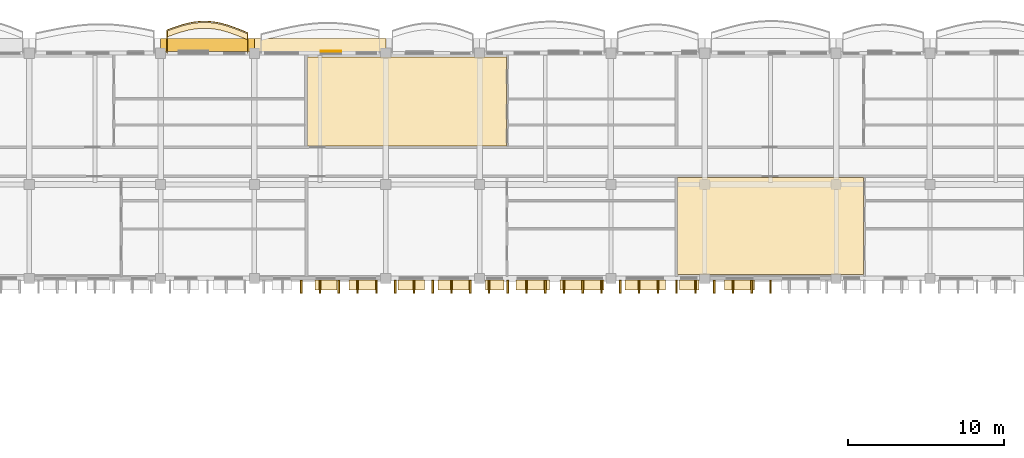
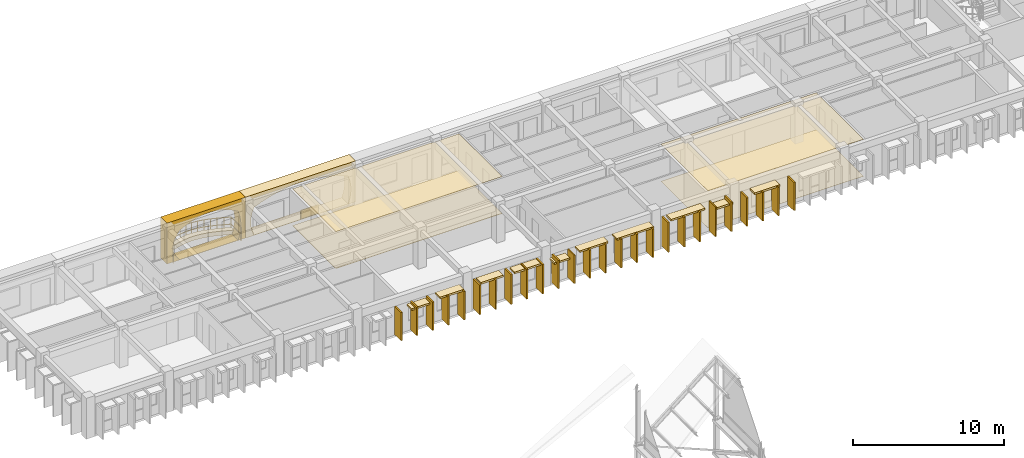
# One storey, part 86 of 101: 44 coverings, 1 railing.
"""IFC4 building model written with IfcOpenShell, lengths in metres."""

import ifcopenshell
import ifcopenshell.guid

model = None  # the IFC model being written
_history = None  # IfcOwnerHistory: only IFC2X3 demands one
_inside = {}  # id of a spatial element -> (the spatial element, [elements in it])
_under = {}  # id of a project, library or spatial element -> (it, [spatial elements below it])
_declared = {}  # id of a project -> (the project, [libraries it declares])
_typed = {}  # id of a type object -> (the type object, [elements of that type])
_made_of = {}  # id of a material, layer set ... -> (it, [elements and type objects made of it])


def new_model(schema):
    """Start an empty IFC model of exactly this schema.

    Asked for "IFC4X3", IfcOpenShell would pick the latest addendum, in which some entities
    have other attributes; the version numbers below select the first issue.
    IFC2X3 requires an IfcOwnerHistory on every rooted entity: one is made here for all.
    """
    global model, _history
    if schema == "IFC4X3":
        model = ifcopenshell.file(schema_version=(4, 3, 0, 0))
    else:
        model = ifcopenshell.file(schema=schema)
    _inside.clear()
    _under.clear()
    _declared.clear()
    _typed.clear()
    _made_of.clear()
    _history = None
    if model.schema == "IFC2X3":
        org = make("IfcOrganization", Name="unknown")
        user = make(
            "IfcPersonAndOrganization",
            ThePerson=make("IfcPerson", FamilyName="unknown"),
            TheOrganization=org,
        )
        app = make(
            "IfcApplication",
            ApplicationDeveloper=org,
            Version="unknown",
            ApplicationFullName="unknown",
            ApplicationIdentifier="unknown",
        )
        _history = make(
            "IfcOwnerHistory",
            OwningUser=user,
            OwningApplication=app,
            ChangeAction="ADDED",
            CreationDate=0,
        )
    return model


def make(cls, **values):
    """One entity of the class cls with the attributes given. An attribute that is None is left unset."""
    return model.create_entity(
        cls, **{name: value for name, value in values.items() if value is not None}
    )


def rooted(cls, **values):
    """An entity with a GlobalId (a new one), such as an element, a storey or a relation."""
    return make(cls, GlobalId=ifcopenshell.guid.new(), OwnerHistory=_history, **values)


def si_unit(unit_type, name, prefix=None):
    """IfcSIUnit, for example si_unit("LENGTHUNIT", "METRE", prefix="MILLI")."""
    return make("IfcSIUnit", UnitType=unit_type, Prefix=prefix, Name=name)


def assignment(units):
    """IfcUnitAssignment: the units of a project."""
    return None if units is None else make("IfcUnitAssignment", Units=units)


def point(xyz):
    """IfcCartesianPoint."""
    return None if xyz is None else make("IfcCartesianPoint", Coordinates=xyz)


def direction(xyz):
    """IfcDirection."""
    return None if xyz is None else make("IfcDirection", DirectionRatios=xyz)


def frame(location, z_axis=None, x_axis=None):
    """IfcAxis2Placement3D, a coordinate frame: its origin and axes. An axis left out is left unset."""
    return make(
        "IfcAxis2Placement3D",
        Location=point(location),
        Axis=direction(z_axis),
        RefDirection=direction(x_axis),
    )


def frame_2d(location, x_axis=None):
    """IfcAxis2Placement2D, a coordinate frame in the plane: its origin and x axis."""
    return make(
        "IfcAxis2Placement2D", Location=point(location), RefDirection=direction(x_axis)
    )


def origin():
    """The frame at (0, 0, 0) with its axes left unset."""
    return frame((0.0, 0.0, 0.0))


def origin_2d():
    """The frame at (0, 0) in the plane with its x axis left unset."""
    return frame_2d((0.0, 0.0))


def place(relative_to, where):
    """IfcLocalPlacement: puts the frame where relative to a parent placement (None: the world)."""
    return make(
        "IfcLocalPlacement", PlacementRelTo=relative_to, RelativePlacement=where
    )


def context(
    kind, dimensions, precision=None, world=None, true_north=None, identifier=None
):
    """IfcGeometricRepresentationContext, for example the 3D "Model" context."""
    return make(
        "IfcGeometricRepresentationContext",
        ContextIdentifier=identifier,
        ContextType=kind,
        CoordinateSpaceDimension=dimensions,
        Precision=precision,
        WorldCoordinateSystem=world,
        TrueNorth=true_north,
    )


def subcontext(parent, identifier, kind, view, scale=None):
    """IfcGeometricRepresentationSubContext, for example "Body" below "Model"."""
    return make(
        "IfcGeometricRepresentationSubContext",
        ContextIdentifier=identifier,
        ContextType=kind,
        ParentContext=parent,
        TargetScale=scale,
        TargetView=view,
    )


def project(units=None, contexts=None):
    """IfcProject with its units and contexts."""
    return rooted(
        "IfcProject",
        Name="project",
        RepresentationContexts=contexts,
        UnitsInContext=assignment(units),
    )


def spatial(cls, under=None, at=None, **own):
    """A site, building, storey or space (cls), placed at a placement, below another one or the project."""
    s = rooted(cls, ObjectPlacement=at, **own)
    if under is not None:
        _under.setdefault(under.id(), (under, []))[1].append(s)
    return s


def polyline(points):
    """IfcPolyline through the points."""
    return make("IfcPolyline", Points=[point(p) for p in points])


def profile(cls, at=None, kind="AREA", **sizes):
    """A parametric profile (cls). Its sizes go by their IFC names, for example OverallWidth=200.0."""
    return make(cls, ProfileType=kind, Position=at, **sizes)


def rectangle(**sizes):
    """IfcRectangleProfileDef."""
    return profile("IfcRectangleProfileDef", **sizes)


def outline(outer, holes=None, kind="AREA"):
    """IfcArbitraryClosedProfileDef: a profile drawn as a closed curve; with holes, ...WithVoids."""
    if holes is None:
        return make("IfcArbitraryClosedProfileDef", ProfileType=kind, OuterCurve=outer)
    return make(
        "IfcArbitraryProfileDefWithVoids",
        ProfileType=kind,
        OuterCurve=outer,
        InnerCurves=holes,
    )


def extrude(swept, where, along, depth):
    """IfcExtrudedAreaSolid: the profile swept, set in the frame where, extruded along a direction by depth."""
    return make(
        "IfcExtrudedAreaSolid",
        SweptArea=swept,
        Position=where,
        ExtrudedDirection=direction(along),
        Depth=depth,
    )


def shape(context_of_items, identifier, shape_type, items):
    """IfcShapeRepresentation: the items that make up one representation, for example the "Body"."""
    return make(
        "IfcShapeRepresentation",
        ContextOfItems=context_of_items,
        RepresentationIdentifier=identifier,
        RepresentationType=shape_type,
        Items=items,
    )


def material(Name=None, Category=None):
    """IfcMaterial."""
    return make("IfcMaterial", Name=Name, Category=Category)


def layer(
    of_material, thickness, ventilated=None, Name=None, Category=None, Priority=None
):
    """IfcMaterialLayer: one layer of a wall or slab, of a material (None: an air gap)."""
    return make(
        "IfcMaterialLayer",
        Material=of_material,
        LayerThickness=thickness,
        IsVentilated=ventilated,
        Name=Name,
        Category=Category,
        Priority=Priority,
    )


def layer_set(layers, Name=None):
    """IfcMaterialLayerSet."""
    return make("IfcMaterialLayerSet", MaterialLayers=layers, LayerSetName=Name)


def made_of(thing, what):
    """Note that an element or type object is made of a material, layer set ...; save() writes the relation."""
    if what is not None:
        _made_of.setdefault(what.id(), (what, []))[1].append(thing)
    return thing


def type_object(cls, material=None, **own):
    """A type object (cls), such as IfcWallType, which elements share."""
    return made_of(rooted(cls, **own), material)


def element(
    cls,
    number,
    at=None,
    inside=None,
    cuts=None,
    type_object=None,
    material=None,
    context=None,
    identifier="Body",
    shape_type=None,
    held_by="IfcProductDefinitionShape",
    body=None,
    shapes=None,
    **own,
):
    """One element of the class cls, such as IfcWall. Its Tag is "e" and its number.

    at: its placement. inside: the storey or other place that contains it. cuts: it is an
    opening in that element (IfcRelVoidsElement). A single representation is given by context,
    identifier, shape_type and body (its items); several are given by shapes. held_by: the class
    of the entity that holds the representations. save() writes the other relations.
    """
    e = rooted(cls, Tag="e%d" % number, ObjectPlacement=at, **own)
    if body is not None:
        shapes = [shape(context, identifier, shape_type, body)]
    if shapes is not None:
        e.Representation = make(held_by, Representations=shapes)
    if inside is not None:
        _inside.setdefault(inside.id(), (inside, []))[1].append(e)
    if cuts is not None:
        rooted(
            "IfcRelVoidsElement", RelatingBuildingElement=cuts, RelatedOpeningElement=e
        )
    if type_object is not None:
        _typed.setdefault(type_object.id(), (type_object, []))[1].append(e)
    return made_of(e, material)


def aggregate(whole, parts):
    """IfcRelAggregates: a whole, such as a stair, and the parts it consists of."""
    return rooted("IfcRelAggregates", RelatingObject=whole, RelatedObjects=parts)


def save(model, path):
    """Write the relations noted so far, then the file.

    IfcRelAggregates (storeys below a building ...), IfcRelContainedInSpatialStructure (elements
    in a storey), IfcRelDefinesByType, IfcRelAssociatesMaterial and IfcRelDeclares: one each for
    every whole, place, type object, material and project.
    """
    for whole, parts in _under.values():
        aggregate(whole, parts)
    for where, things in _inside.values():
        rooted(
            "IfcRelContainedInSpatialStructure",
            RelatedElements=things,
            RelatingStructure=where,
        )
    for kind, things in _typed.values():
        rooted("IfcRelDefinesByType", RelatedObjects=things, RelatingType=kind)
    for what, things in _made_of.values():
        rooted("IfcRelAssociatesMaterial", RelatedObjects=things, RelatingMaterial=what)
    for by, libraries in _declared.values():
        rooted("IfcRelDeclares", RelatingContext=by, RelatedDefinitions=libraries)
    model.write(path)


model = new_model("IFC4")

# Units and contexts
model_context = context("Model", 3, precision=1e-05, world=origin(), true_north=direction((0.0, 1.0)))
body_context = subcontext(model_context, "Body", "Model", "MODEL_VIEW")
ifc_project = project(units=[si_unit("LENGTHUNIT", "METRE"), si_unit("AREAUNIT", "SQUARE_METRE"), si_unit("VOLUMEUNIT", "CUBIC_METRE"), si_unit("PLANEANGLEUNIT", "RADIAN"), si_unit("MASSUNIT", "GRAM", prefix="KILO"), si_unit("THERMODYNAMICTEMPERATUREUNIT", "KELVIN")], contexts=[model_context])

# Site, building, storey
site_placement = place(None, origin())
site = spatial("IfcSite", under=ifc_project, at=site_placement, CompositionType="ELEMENT")
building_placement = place(site_placement, origin())
building = spatial("IfcBuilding", under=site, at=building_placement, Name="Thalorik Housing Commons", CompositionType="ELEMENT")
storey_placement = place(building_placement, frame((0.0, 0.0, 8.10009765625)))
storey = spatial("IfcBuildingStorey", under=building, at=storey_placement, Name="L02", CompositionType="ELEMENT", Elevation=8.10009765625)

# Coverings
ifc_material_1 = material(Name="Precast concrete C40/50", Category="concrete")
ifc_layer_1 = layer(ifc_material_1, 0.85009765625, Name="Precast concrete C40/50", Category="concrete")
ifc_layer_set_1 = layer_set([ifc_layer_1], Name="Precast concrete C40/50")
covering_type_1 = type_object("IfcCoveringType", Name="ARC-CLD-CUSH-850", PredefinedType="CLADDING", material=ifc_layer_set_1)
covering_1_placement = place(storey_placement, frame((105.0, 124.12744140625, 0.0), z_axis=(0.0, 0.0, 1.0), x_axis=(-1.0, 0.0, 0.0)))
element("IfcCovering", 1, at=covering_1_placement, inside=storey, type_object=covering_type_1, Name="L02 White Precast Curved Cushion Bay Frame 1672", PredefinedType="CLADDING", context=body_context, shape_type="SweptSolid", body=[
    extrude(outline(polyline([(-4.199951171875, 0.0), (4.199951171875, 0.0), (4.199951171875, 3.300048828125), (-4.199951171875, 3.300048828125), (-4.199951171875, 0.0)]), holes=[polyline([(3.554931640625, 0.02490234375), (3.691162109375, 0.3974609375), (3.77294921875, 0.77001953125), (3.800048828125, 1.142578125), (3.77294921875, 1.514892578125), (3.691162109375, 1.887451171875), (3.554931640625, 2.260009765625), (2.956298828125, 2.497314453125), (2.357421875, 2.683837890625), (1.7587890625, 2.8349609375), (1.159912109375, 2.947265625), (0.561279296875, 3.0166015625), (-0.03759765625, 3.0400390625), (-0.63623046875, 3.0166015625), (-1.235107421875, 2.947265625), (-1.833740234375, 2.8349609375), (-2.4326171875, 2.683837890625), (-3.03125, 2.497314453125), (-3.6298828125, 2.260009765625), (-3.750244140625, 1.887451171875), (-3.822509765625, 1.514892578125), (-3.8466796875, 1.142578125), (-3.822509765625, 0.77001953125), (-3.750244140625, 0.3974609375), (-3.6298828125, 0.02490234375), (3.554931640625, 0.02490234375)])]), frame((0.0, 0.425048828125, 0.0), z_axis=(0.0, -1.0, 0.0), x_axis=(1.0, 0.0, 0.0)), (0.0, 0.0, 1.0), 0.85009765625),
])
covering_2_placement = place(storey_placement, frame((97.800048828125, 124.12744140625, 0.0), z_axis=(0.0, 0.0, 1.0), x_axis=(-1.0, 0.0, 0.0)))
element("IfcCovering", 2, at=covering_2_placement, inside=storey, type_object=covering_type_1, Name="L02 White Precast Curved Cushion Bay Frame 1674", PredefinedType="CLADDING", context=body_context, shape_type="SweptSolid", body=[
    extrude(outline(polyline([(-3.0, 0.0), (3.0, 0.0), (3.0, 3.300048828125), (-3.0, 3.300048828125), (-3.0, 0.0)]), holes=[polyline([(2.0400390625, 0.02490234375), (2.3232421875, 0.415771484375), (2.493408203125, 0.806640625), (2.550048828125, 1.197509765625), (2.493408203125, 1.58837890625), (2.3232421875, 1.979248046875), (2.0400390625, 2.3701171875), (1.66748046875, 2.573974609375), (1.294921875, 2.734130859375), (0.922607421875, 2.864013671875), (0.550048828125, 2.960205078125), (0.177490234375, 3.02001953125), (-0.195068359375, 3.0400390625), (-0.5673828125, 3.02001953125), (-0.93994140625, 2.960205078125), (-1.3125, 2.864013671875), (-1.68505859375, 2.734130859375), (-2.0576171875, 2.573974609375), (-2.429931640625, 2.3701171875), (-2.55029296875, 1.979248046875), (-2.62255859375, 1.58837890625), (-2.646484375, 1.197509765625), (-2.62255859375, 0.806640625), (-2.55029296875, 0.415771484375), (-2.429931640625, 0.02490234375), (2.0400390625, 0.02490234375)])]), frame((0.0, 0.425048828125, 0.0), z_axis=(0.0, -1.0, 0.0), x_axis=(1.0, 0.0, 0.0)), (0.0, 0.0, 1.0), 0.85009765625),
])
ifc_layer_2 = layer(ifc_material_1, 0.85009765625, Name="Precast concrete C40/50", Category="concrete")
ifc_layer_set_2 = layer_set([ifc_layer_2], Name="Precast concrete C40/50")
covering_type_2 = type_object("IfcCoveringType", Name="ARC-CLD-FIN-850", PredefinedType="CLADDING", material=ifc_layer_set_2)
for number, where, z_axis, x_axis, name in (
    (3, (103.800048828125, 108.672607421875, 0.0400390625), (0.0, 0.0, 1.0), (1.0, 0.0, 0.0), "L02 Courtyard Precast Vertical Brise-Soleil Fin 1723"),
    (4, (105.0, 108.672607421875, 0.0400390625), (0.0, 0.0, 1.0), (1.0, 0.0, 0.0), "L02 Courtyard Precast Vertical Brise-Soleil Fin 1724"),
    (5, (106.199951171875, 108.672607421875, 0.0400390625), (0.0, 0.0, 1.0), (1.0, 0.0, 0.0), "L02 Courtyard Precast Vertical Brise-Soleil Fin 1725"),
    (6, (107.39990234375, 108.672607421875, 0.0400390625), (0.0, 0.0, 1.0), (1.0, 0.0, 0.0), "L02 Courtyard Precast Vertical Brise-Soleil Fin 1726"),
    (7, (108.60009765625, 108.672607421875, 0.0400390625), (0.0, 0.0, 1.0), (1.0, 0.0, 0.0), "L02 Courtyard Precast Vertical Brise-Soleil Fin 1727"),
):
    element("IfcCovering", number, at=place(storey_placement, frame(where, z_axis=z_axis, x_axis=x_axis)), inside=storey, type_object=covering_type_2, Name=name, PredefinedType="CLADDING", context=body_context, shape_type="SweptSolid", body=[
        extrude(rectangle(XDim=0.110107421875, YDim=0.85009765625, at=origin_2d()), origin(), (0.0, 0.0, 1.0), 2.294921875),
    ])
for number, where, z_axis, x_axis, name in (
    (8, (109.800048828125, 108.672607421875, 0.039794921875), (0.0, 0.0, 1.0), (1.0, 0.0, 0.0), "L02 Courtyard Precast Vertical Brise-Soleil Fin 1731"),
    (9, (111.0, 108.672607421875, 0.039794921875), (0.0, 0.0, 1.0), (1.0, 0.0, 0.0), "L02 Courtyard Precast Vertical Brise-Soleil Fin 1732"),
    (10, (112.199951171875, 108.672607421875, 0.039794921875), (0.0, 0.0, 1.0), (1.0, 0.0, 0.0), "L02 Courtyard Precast Vertical Brise-Soleil Fin 1733"),
    (11, (113.39990234375, 108.672607421875, 0.039794921875), (0.0, 0.0, 1.0), (1.0, 0.0, 0.0), "L02 Courtyard Precast Vertical Brise-Soleil Fin 1734"),
    (12, (114.60009765625, 108.672607421875, 0.039794921875), (0.0, 0.0, 1.0), (1.0, 0.0, 0.0), "L02 Courtyard Precast Vertical Brise-Soleil Fin 1735"),
):
    element("IfcCovering", number, at=place(storey_placement, frame(where, z_axis=z_axis, x_axis=x_axis)), inside=storey, type_object=covering_type_2, Name=name, PredefinedType="CLADDING", context=body_context, shape_type="SweptSolid", body=[
        extrude(rectangle(XDim=0.110107421875, YDim=0.85009765625, at=origin_2d()), origin(), (0.0, 0.0, 1.0), 2.39501953125),
    ])
for number, where, z_axis, x_axis, name in (
    (13, (115.800048828125, 108.672607421875, 0.0400390625), (0.0, 0.0, 1.0), (1.0, 0.0, 0.0), "L02 Courtyard Precast Vertical Brise-Soleil Fin 1738"),
    (14, (117.0, 108.672607421875, 0.0400390625), (0.0, 0.0, 1.0), (1.0, 0.0, 0.0), "L02 Courtyard Precast Vertical Brise-Soleil Fin 1739"),
    (15, (118.199951171875, 108.672607421875, 0.0400390625), (0.0, 0.0, 1.0), (1.0, 0.0, 0.0), "L02 Courtyard Precast Vertical Brise-Soleil Fin 1740"),
    (16, (119.39990234375, 108.672607421875, 0.0400390625), (0.0, 0.0, 1.0), (1.0, 0.0, 0.0), "L02 Courtyard Precast Vertical Brise-Soleil Fin 1741"),
    (17, (120.60009765625, 108.672607421875, 0.0400390625), (0.0, 0.0, 1.0), (1.0, 0.0, 0.0), "L02 Courtyard Precast Vertical Brise-Soleil Fin 1742"),
    (18, (121.800048828125, 108.672607421875, 0.0400390625), (0.0, 0.0, 1.0), (1.0, 0.0, 0.0), "L02 Courtyard Precast Vertical Brise-Soleil Fin 1743"),
    (19, (123.0, 108.672607421875, 0.0400390625), (0.0, 0.0, 1.0), (1.0, 0.0, 0.0), "L02 Courtyard Precast Vertical Brise-Soleil Fin 1744"),
):
    element("IfcCovering", number, at=place(storey_placement, frame(where, z_axis=z_axis, x_axis=x_axis)), inside=storey, type_object=covering_type_2, Name=name, PredefinedType="CLADDING", context=body_context, shape_type="SweptSolid", body=[
        extrude(rectangle(XDim=0.110107421875, YDim=0.85009765625, at=origin_2d()), origin(), (0.0, 0.0, 1.0), 2.294921875),
    ])
for number, where, z_axis, x_axis, name in (
    (20, (124.199951171875, 108.672607421875, 0.039794921875), (0.0, 0.0, 1.0), (1.0, 0.0, 0.0), "L02 Courtyard Precast Vertical Brise-Soleil Fin 1748"),
    (21, (125.39990234375, 108.672607421875, 0.039794921875), (0.0, 0.0, 1.0), (1.0, 0.0, 0.0), "L02 Courtyard Precast Vertical Brise-Soleil Fin 1749"),
    (22, (126.60009765625, 108.672607421875, 0.039794921875), (0.0, 0.0, 1.0), (1.0, 0.0, 0.0), "L02 Courtyard Precast Vertical Brise-Soleil Fin 1750"),
    (23, (127.800048828125, 108.672607421875, 0.039794921875), (0.0, 0.0, 1.0), (1.0, 0.0, 0.0), "L02 Courtyard Precast Vertical Brise-Soleil Fin 1751"),
    (24, (129.0, 108.672607421875, 0.039794921875), (0.0, 0.0, 1.0), (1.0, 0.0, 0.0), "L02 Courtyard Precast Vertical Brise-Soleil Fin 1752"),
):
    element("IfcCovering", number, at=place(storey_placement, frame(where, z_axis=z_axis, x_axis=x_axis)), inside=storey, type_object=covering_type_2, Name=name, PredefinedType="CLADDING", context=body_context, shape_type="SweptSolid", body=[
        extrude(rectangle(XDim=0.110107421875, YDim=0.85009765625, at=origin_2d()), origin(), (0.0, 0.0, 1.0), 2.39501953125),
    ])
for number, where, z_axis, x_axis, name in (
    (25, (130.199951171875, 108.672607421875, 0.0400390625), (0.0, 0.0, 1.0), (1.0, 0.0, 0.0), "L02 Courtyard Precast Vertical Brise-Soleil Fin 1755"),
    (26, (131.39990234375, 108.672607421875, 0.0400390625), (0.0, 0.0, 1.0), (1.0, 0.0, 0.0), "L02 Courtyard Precast Vertical Brise-Soleil Fin 1756"),
    (27, (132.60009765625, 108.672607421875, 0.0400390625), (0.0, 0.0, 1.0), (1.0, 0.0, 0.0), "L02 Courtyard Precast Vertical Brise-Soleil Fin 1757"),
    (28, (133.800048828125, 108.672607421875, 0.0400390625), (0.0, 0.0, 1.0), (1.0, 0.0, 0.0), "L02 Courtyard Precast Vertical Brise-Soleil Fin 1758"),
):
    element("IfcCovering", number, at=place(storey_placement, frame(where, z_axis=z_axis, x_axis=x_axis)), inside=storey, type_object=covering_type_2, Name=name, PredefinedType="CLADDING", context=body_context, shape_type="SweptSolid", body=[
        extrude(rectangle(XDim=0.110107421875, YDim=0.85009765625, at=origin_2d()), origin(), (0.0, 0.0, 1.0), 2.294921875),
    ])
ifc_layer_3 = layer(ifc_material_1, 0.64990234375, Name="Precast concrete C40/50", Category="concrete")
ifc_layer_set_3 = layer_set([ifc_layer_3], Name="Precast concrete C40/50")
covering_type_3 = type_object("IfcCoveringType", Name="ARC-CLD-HOOD-650", PredefinedType="CLADDING", material=ifc_layer_set_3)
covering_3_placement = place(storey_placement, frame((105.37744140625, 108.7724609375, 2.0400390625), z_axis=(0.0, 0.0, 1.0), x_axis=(1.0, 0.0, 0.0)))
element("IfcCovering", 29, at=covering_3_placement, inside=storey, type_object=covering_type_3, Name="L02 Courtyard Precast Window Sun-Hood 1729", PredefinedType="CLADDING", context=body_context, shape_type="SweptSolid", body=[
    extrude(rectangle(XDim=1.389892578125, YDim=0.64990234375, at=origin_2d()), origin(), (0.0, 0.0, 1.0), 0.139892578125),
])
covering_4_placement = place(storey_placement, frame((107.75244140625, 108.7724609375, 2.22509765625), z_axis=(0.0, 0.0, 1.0), x_axis=(1.0, 0.0, 0.0)))
element("IfcCovering", 30, at=covering_4_placement, inside=storey, type_object=covering_type_3, Name="L02 Courtyard Precast Window Sun-Hood 1730", PredefinedType="CLADDING", context=body_context, shape_type="SweptSolid", body=[
    extrude(rectangle(XDim=1.820068359375, YDim=0.64990234375, at=origin_2d()), origin(), (0.0, 0.0, 1.0), 0.139892578125),
])
covering_5_placement = place(storey_placement, frame((110.830078125, 108.7724609375, 2.31005859375), z_axis=(0.0, 0.0, 1.0), x_axis=(1.0, 0.0, 0.0)))
element("IfcCovering", 31, at=covering_5_placement, inside=storey, type_object=covering_type_3, Name="L02 Courtyard Precast Window Sun-Hood 1736", PredefinedType="CLADDING", context=body_context, shape_type="SweptSolid", body=[
    extrude(rectangle(XDim=1.719970703125, YDim=0.64990234375, at=origin_2d()), origin(), (0.0, 0.0, 1.0), 0.139892578125),
])
covering_6_placement = place(storey_placement, frame((113.570068359375, 108.7724609375, 2.25), z_axis=(0.0, 0.0, 1.0), x_axis=(1.0, 0.0, 0.0)))
element("IfcCovering", 32, at=covering_6_placement, inside=storey, type_object=covering_type_3, Name="L02 Courtyard Precast Window Sun-Hood 1737", PredefinedType="CLADDING", context=body_context, shape_type="SweptSolid", body=[
    extrude(rectangle(XDim=2.06005859375, YDim=0.64990234375, at=origin_2d()), origin(), (0.0, 0.0, 1.0), 0.139892578125),
])
covering_7_placement = place(storey_placement, frame((116.169921875, 108.7724609375, 1.93994140625), z_axis=(0.0, 0.0, 1.0), x_axis=(1.0, 0.0, 0.0)))
element("IfcCovering", 33, at=covering_7_placement, inside=storey, type_object=covering_type_3, Name="L02 Courtyard Precast Window Sun-Hood 1745", PredefinedType="CLADDING", context=body_context, shape_type="SweptSolid", body=[
    extrude(rectangle(XDim=1.18994140625, YDim=0.64990234375, at=origin_2d()), origin(), (0.0, 0.0, 1.0), 0.139892578125),
])
covering_8_placement = place(storey_placement, frame((118.60009765625, 108.7724609375, 2.22509765625), z_axis=(0.0, 0.0, 1.0), x_axis=(1.0, 0.0, 0.0)))
element("IfcCovering", 34, at=covering_8_placement, inside=storey, type_object=covering_type_3, Name="L02 Courtyard Precast Window Sun-Hood 1746", PredefinedType="CLADDING", context=body_context, shape_type="SweptSolid", body=[
    extrude(rectangle(XDim=2.159912109375, YDim=0.64990234375, at=origin_2d()), origin(), (0.0, 0.0, 1.0), 0.139892578125),
])
covering_9_placement = place(storey_placement, frame((121.760009765625, 108.7724609375, 2.22509765625), z_axis=(0.0, 0.0, 1.0), x_axis=(1.0, 0.0, 0.0)))
element("IfcCovering", 35, at=covering_9_placement, inside=storey, type_object=covering_type_3, Name="L02 Courtyard Precast Window Sun-Hood 1747", PredefinedType="CLADDING", context=body_context, shape_type="SweptSolid", body=[
    extrude(rectangle(XDim=2.820068359375, YDim=0.64990234375, at=origin_2d()), origin(), (0.0, 0.0, 1.0), 0.139892578125),
])
covering_10_placement = place(storey_placement, frame((125.784912109375, 108.7724609375, 2.3251953125), z_axis=(0.0, 0.0, 1.0), x_axis=(1.0, 0.0, 0.0)))
element("IfcCovering", 36, at=covering_10_placement, inside=storey, type_object=covering_type_3, Name="L02 Courtyard Precast Window Sun-Hood 1753", PredefinedType="CLADDING", context=body_context, shape_type="SweptSolid", body=[
    extrude(rectangle(XDim=2.590087890625, YDim=0.64990234375, at=origin_2d()), origin(), (0.0, 0.0, 1.0), 0.139892578125),
])
covering_11_placement = place(storey_placement, frame((128.594970703125, 108.7724609375, 2.0400390625), z_axis=(0.0, 0.0, 1.0), x_axis=(1.0, 0.0, 0.0)))
element("IfcCovering", 37, at=covering_11_placement, inside=storey, type_object=covering_type_3, Name="L02 Courtyard Precast Window Sun-Hood 1754", PredefinedType="CLADDING", context=body_context, shape_type="SweptSolid", body=[
    extrude(rectangle(XDim=1.239990234375, YDim=0.64990234375, at=origin_2d()), origin(), (0.0, 0.0, 1.0), 0.139892578125),
])
covering_12_placement = place(storey_placement, frame((131.830078125, 108.7724609375, 2.22509765625), z_axis=(0.0, 0.0, 1.0), x_axis=(1.0, 0.0, 0.0)))
element("IfcCovering", 38, at=covering_12_placement, inside=storey, type_object=covering_type_3, Name="L02 Courtyard Precast Window Sun-Hood 1762", PredefinedType="CLADDING", context=body_context, shape_type="SweptSolid", body=[
    extrude(rectangle(XDim=1.919921875, YDim=0.64990234375, at=origin_2d()), origin(), (0.0, 0.0, 1.0), 0.139892578125),
])
ifc_material_2 = material(Name="Terracotta red mineral fibre-cement panel", Category="masonry")
ifc_layer_4 = layer(ifc_material_2, 0.054931640625, Name="Terracotta red mineral fibre-cement panel", Category="masonry")
ifc_layer_set_4 = layer_set([ifc_layer_4], Name="Terracotta red mineral fibre-cement panel")
covering_type_4 = type_object("IfcCoveringType", Name="ARC-CLD-RED-55", PredefinedType="CLADDING", material=ifc_layer_set_4)
covering_13_placement = place(storey_placement, frame((105.699951171875, 123.735107421875, 0.0498046875), z_axis=(0.0, 0.0, 1.0), x_axis=(-1.0, 0.0, 0.0)))
element("IfcCovering", 39, at=covering_13_placement, inside=storey, type_object=covering_type_4, Name="L02 De Stijl Recessed Window Spandrel 1673", PredefinedType="CLADDING", context=body_context, shape_type="SweptSolid", body=[
    extrude(rectangle(XDim=1.320068359375, YDim=0.054931640625, at=origin_2d()), origin(), (0.0, 0.0, 1.0), 0.699951171875),
])
ifc_material_3 = material(Name="Perforated acoustic gypsum ceiling board")
ifc_layer_5 = layer(ifc_material_3, 0.014892578125, Name="Perforated acoustic gypsum ceiling board")
ifc_layer_set_5 = layer_set([ifc_layer_5], Name="Perforated acoustic gypsum ceiling board")
covering_type_5 = type_object("IfcCoveringType", Name="ARC-COV-CEIL-01", PredefinedType="CEILING", material=ifc_layer_set_5)
covering_14_placement = place(storey_placement, frame((0.0, 0.0, 2.98486328125)))
element("IfcCovering", 40, at=covering_14_placement, inside=storey, type_object=covering_type_5, Name="L02 Living Dining Room Suspended Ceiling", PredefinedType="CEILING", context=body_context, shape_type="SweptSolid", body=[
    extrude(outline(polyline([(139.7451171875, 109.43994140625), (139.7451171875, 115.639892578125), (127.860107421875, 115.639892578125), (127.860107421875, 109.43994140625), (139.7451171875, 109.43994140625)])), origin(), (0.0, 0.0, 1.0), 0.01513671875),
])
ifc_material_4 = material(Name="Acoustic wood-wool nursery ceiling panel", Category="wood")
ifc_layer_6 = layer(ifc_material_4, 0.035888671875, Name="Acoustic wood-wool nursery ceiling panel", Category="wood")
ifc_layer_set_6 = layer_set([ifc_layer_6], Name="Acoustic wood-wool nursery ceiling panel")
covering_type_6 = type_object("IfcCoveringType", Name="ARC-COV-CEIL-06", PredefinedType="CEILING", material=ifc_layer_set_6)
covering_15_placement = place(storey_placement, frame((0.0, 0.0, 2.9638671875)))
element("IfcCovering", 41, at=covering_15_placement, inside=storey, type_object=covering_type_6, Name="L02 Family Lounge Suspended Ceiling", PredefinedType="CEILING", context=body_context, shape_type="SweptSolid", body=[
    extrude(outline(polyline([(116.90673828125, 117.659912109375), (116.90673828125, 123.360107421875), (104.199951171875, 123.360107421875), (104.199951171875, 117.659912109375), (116.90673828125, 117.659912109375)])), origin(), (0.0, 0.0, 1.0), 0.0361328125),
])
ifc_material_5 = material(Name="Glazed Recife ceramic apartment floor tile")
ifc_layer_7 = layer(ifc_material_5, 0.011962890625, Name="Glazed Recife ceramic apartment floor tile")
ifc_layer_set_7 = layer_set([ifc_layer_7], Name="Glazed Recife ceramic apartment floor tile")
covering_type_7 = type_object("IfcCoveringType", Name="ARC-COV-FLR-01", PredefinedType="FLOORING", material=ifc_layer_set_7)
covering_16_placement = place(storey_placement, origin())
element("IfcCovering", 42, at=covering_16_placement, inside=storey, type_object=covering_type_7, Name="L02 Living Dining Room Flooring", PredefinedType="FLOORING", context=body_context, shape_type="SweptSolid", body=[
    extrude(outline(polyline([(139.7451171875, 109.43994140625), (139.7451171875, 115.639892578125), (127.860107421875, 115.639892578125), (127.860107421875, 109.43994140625), (139.7451171875, 109.43994140625)])), origin(), (0.0, 0.0, 1.0), 0.011962890625),
])
ifc_material_6 = material(Name="Epoxy-sealed concrete plant and bicycle hub finish", Category="concrete")
ifc_layer_8 = layer(ifc_material_6, 0.031982421875, Name="Epoxy-sealed concrete plant and bicycle hub finish", Category="concrete")
ifc_layer_set_8 = layer_set([ifc_layer_8], Name="Epoxy-sealed concrete plant and bicycle hub finish")
covering_type_8 = type_object("IfcCoveringType", Name="ARC-COV-FLR-06", PredefinedType="FLOORING", material=ifc_layer_set_8)
covering_17_placement = place(storey_placement, origin())
element("IfcCovering", 43, at=covering_17_placement, inside=storey, type_object=covering_type_8, Name="L02 Family Lounge Flooring", PredefinedType="FLOORING", context=body_context, shape_type="SweptSolid", body=[
    extrude(outline(polyline([(116.90673828125, 117.659912109375), (116.90673828125, 123.360107421875), (104.199951171875, 123.360107421875), (104.199951171875, 117.659912109375), (116.90673828125, 117.659912109375)])), origin(), (0.0, 0.0, 1.0), 0.031982421875),
])
ifc_material_7 = material(Name="Planted vegetated substrate and terracotta trough", Category="masonry")
ifc_layer_9 = layer(ifc_material_7, 0.340087890625, Name="Planted vegetated substrate and terracotta trough", Category="masonry")
ifc_layer_set_9 = layer_set([ifc_layer_9], Name="Planted vegetated substrate and terracotta trough")
covering_type_9 = type_object("IfcCoveringType", Name="ARC-COV-PLANTER", PredefinedType="USERDEFINED", material=ifc_layer_set_9)
covering_18_placement = place(storey_placement, origin())
element("IfcCovering", 44, at=covering_18_placement, inside=storey, type_object=covering_type_9, Name="L02 Balcony Slab-Edge Planted Trough 5419", ObjectType="PLANTER", PredefinedType="USERDEFINED", context=body_context, shape_type="SweptSolid", body=[
    extrude(outline(polyline([(100.3798828125, 124.83154296875), (99.949951171875, 125.009521484375), (99.52001953125, 125.17822265625), (99.090087890625, 125.3271484375), (98.659912109375, 125.446533203125), (98.22998046875, 125.529296875), (97.800048828125, 125.570556640625), (97.3701171875, 125.56787109375), (96.93994140625, 125.522216796875), (96.510009765625, 125.43701171875), (96.080078125, 125.31884765625), (95.64990234375, 125.17578125), (95.219970703125, 125.017578125), (95.219970703125, 124.6376953125), (95.64990234375, 124.795654296875), (96.080078125, 124.938720703125), (96.510009765625, 125.05712890625), (96.93994140625, 125.14208984375), (97.3701171875, 125.187744140625), (97.800048828125, 125.1904296875), (98.22998046875, 125.1494140625), (98.659912109375, 125.066650390625), (99.090087890625, 124.947021484375), (99.52001953125, 124.798095703125), (99.949951171875, 124.62939453125), (100.3798828125, 124.45166015625), (100.3798828125, 124.83154296875)])), origin(), (0.0, 0.0, 1.0), 0.33984375),
])

# Railing
ifc_material_8 = material(Name="Steel S355", Category="steel")
railing_type = type_object("IfcRailingType", Name="ARC-RL-BAL-115", PredefinedType="BALUSTRADE", material=ifc_material_8)
railing_placement = place(storey_placement, frame((100.3798828125, 123.60009765625, 0.0)))
element("IfcRailing", 45, at=railing_placement, inside=storey, type_object=railing_type, Name="L02 Cushion Balcony Guardrail 103", PredefinedType="BALUSTRADE", context=body_context, shape_type="SweptSolid", body=[
    extrude(rectangle(XDim=0.050048828125, YDim=0.050048828125, at=origin_2d()), frame((0.0, 0.0, 1.125), z_axis=(0.0, 1.0, 0.0), x_axis=(-1.0, 0.0, 0.0)), (0.0, 0.0, 1.0), 1.301513671875),
    extrude(rectangle(XDim=0.050048828125, YDim=0.050048828125, at=origin_2d()), frame((0.0, 0.0, 0.5498046875), z_axis=(0.0, 1.0, 0.0), x_axis=(-1.0, 0.0, 0.0)), (0.0, 0.0, 1.0), 1.301513671875),
    extrude(rectangle(XDim=0.050048828125, YDim=0.050048828125, at=origin_2d()), frame((0.0, 1.301513671875, 1.125), z_axis=(-0.923959293734, 0.382490814953, 0.0), x_axis=(-0.382490814953, -0.923959293734, 0.0)), (0.0, 0.0, 1.0), 0.46533203125),
    extrude(rectangle(XDim=0.050048828125, YDim=0.050048828125, at=origin_2d()), frame((0.0, 1.301513671875, 0.5498046875), z_axis=(-0.923959293734, 0.382490814953, 0.0), x_axis=(-0.382490814953, -0.923959293734, 0.0)), (0.0, 0.0, 1.0), 0.46533203125),
    extrude(rectangle(XDim=0.050048828125, YDim=0.050048828125, at=origin_2d()), frame((-0.429931640625, 1.4794921875, 1.125), z_axis=(-0.930899197283, 0.365276175651, 0.0), x_axis=(-0.365276175651, -0.930899197283, 0.0)), (0.0, 0.0, 1.0), 0.4619140625),
    extrude(rectangle(XDim=0.050048828125, YDim=0.050048828125, at=origin_2d()), frame((-0.429931640625, 1.4794921875, 0.5498046875), z_axis=(-0.930899197283, 0.365276175651, 0.0), x_axis=(-0.365276175651, -0.930899197283, 0.0)), (0.0, 0.0, 1.0), 0.4619140625),
    extrude(rectangle(XDim=0.050048828125, YDim=0.050048828125, at=origin_2d()), frame((-0.85986328125, 1.648193359375, 1.125), z_axis=(-0.944915878201, 0.327313279786, 0.0), x_axis=(-0.327313279786, -0.944915878201, 0.0)), (0.0, 0.0, 1.0), 0.455078125),
    extrude(rectangle(XDim=0.050048828125, YDim=0.050048828125, at=origin_2d()), frame((-0.85986328125, 1.648193359375, 0.5498046875), z_axis=(-0.944915878201, 0.327313279786, 0.0), x_axis=(-0.327313279786, -0.944915878201, 0.0)), (0.0, 0.0, 1.0), 0.455078125),
    extrude(rectangle(XDim=0.050048828125, YDim=0.050048828125, at=origin_2d()), frame((-1.289794921875, 1.797119140625, 1.125), z_axis=(-0.963580561434, 0.267418214836, 0.0), x_axis=(-0.267418214836, -0.963580561434, 0.0)), (0.0, 0.0, 1.0), 0.446533203125),
    extrude(rectangle(XDim=0.050048828125, YDim=0.050048828125, at=origin_2d()), frame((-1.289794921875, 1.797119140625, 0.5498046875), z_axis=(-0.963580561434, 0.267418214836, 0.0), x_axis=(-0.267418214836, -0.963580561434, 0.0)), (0.0, 0.0, 1.0), 0.446533203125),
    extrude(rectangle(XDim=0.050048828125, YDim=0.050048828125, at=origin_2d()), frame((-1.719970703125, 1.91650390625, 1.125), z_axis=(-0.98197063341, 0.189033529089, 0.0), x_axis=(-0.189033529089, -0.98197063341, 0.0)), (0.0, 0.0, 1.0), 0.437744140625),
    extrude(rectangle(XDim=0.050048828125, YDim=0.050048828125, at=origin_2d()), frame((-1.719970703125, 1.91650390625, 0.5498046875), z_axis=(-0.98197063341, 0.189033529089, 0.0), x_axis=(-0.189033529089, -0.98197063341, 0.0)), (0.0, 0.0, 1.0), 0.437744140625),
    extrude(rectangle(XDim=0.050048828125, YDim=0.050048828125, at=origin_2d()), frame((-2.14990234375, 1.999267578125, 1.125), z_axis=(-0.995480215882, 0.094969151771, 0.0), x_axis=(-0.094969151771, -0.995480215882, 0.0)), (0.0, 0.0, 1.0), 0.431884765625),
    extrude(rectangle(XDim=0.050048828125, YDim=0.050048828125, at=origin_2d()), frame((-2.14990234375, 1.999267578125, 0.5498046875), z_axis=(-0.995480215882, 0.094969151771, 0.0), x_axis=(-0.094969151771, -0.995480215882, 0.0)), (0.0, 0.0, 1.0), 0.431884765625),
    extrude(rectangle(XDim=0.050048828125, YDim=0.050048828125, at=origin_2d()), frame((-2.579833984375, 2.040283203125, 1.125), z_axis=(-0.999980491497, -0.006246329021, 0.0), x_axis=(0.006246329021, -0.999980491497, 0.0)), (0.0, 0.0, 1.0), 0.429931640625),
    extrude(rectangle(XDim=0.050048828125, YDim=0.050048828125, at=origin_2d()), frame((-2.579833984375, 2.040283203125, 0.5498046875), z_axis=(-0.999980491497, -0.006246329021, 0.0), x_axis=(0.006246329021, -0.999980491497, 0.0)), (0.0, 0.0, 1.0), 0.429931640625),
    extrude(rectangle(XDim=0.050048828125, YDim=0.050048828125, at=origin_2d()), frame((-3.009765625, 2.03759765625, 1.125), z_axis=(-0.994415407692, -0.105536708989, 0.0), x_axis=(0.105536708989, -0.994415407692, 0.0)), (0.0, 0.0, 1.0), 0.4326171875),
    extrude(rectangle(XDim=0.050048828125, YDim=0.050048828125, at=origin_2d()), frame((-3.009765625, 2.03759765625, 0.5498046875), z_axis=(-0.994415407692, -0.105536708989, 0.0), x_axis=(0.105536708989, -0.994415407692, 0.0)), (0.0, 0.0, 1.0), 0.4326171875),
    extrude(rectangle(XDim=0.050048828125, YDim=0.050048828125, at=origin_2d()), frame((-3.43994140625, 1.991943359375, 1.125), z_axis=(-0.981028048733, -0.193865849494, 0.0), x_axis=(0.193865849494, -0.981028048733, 0.0)), (0.0, 0.0, 1.0), 0.438232421875),
    extrude(rectangle(XDim=0.050048828125, YDim=0.050048828125, at=origin_2d()), frame((-3.43994140625, 1.991943359375, 0.5498046875), z_axis=(-0.981028048733, -0.193865849494, 0.0), x_axis=(0.193865849494, -0.981028048733, 0.0)), (0.0, 0.0, 1.0), 0.438232421875),
    extrude(rectangle(XDim=0.050048828125, YDim=0.050048828125, at=origin_2d()), frame((-3.869873046875, 1.906982421875, 1.125), z_axis=(-0.964243880098, -0.265016489476, 0.0), x_axis=(0.265016489476, -0.964243880098, 0.0)), (0.0, 0.0, 1.0), 0.44580078125),
    extrude(rectangle(XDim=0.050048828125, YDim=0.050048828125, at=origin_2d()), frame((-3.869873046875, 1.906982421875, 0.5498046875), z_axis=(-0.964243880098, -0.265016489476, 0.0), x_axis=(0.265016489476, -0.964243880098, 0.0)), (0.0, 0.0, 1.0), 0.44580078125),
    extrude(rectangle(XDim=0.050048828125, YDim=0.050048828125, at=origin_2d()), frame((-4.2998046875, 1.788818359375, 1.125), z_axis=(-0.94873712863, -0.316066228437, 0.0), x_axis=(0.316066228437, -0.94873712863, 0.0)), (0.0, 0.0, 1.0), 0.453369140625),
    extrude(rectangle(XDim=0.050048828125, YDim=0.050048828125, at=origin_2d()), frame((-4.2998046875, 1.788818359375, 0.5498046875), z_axis=(-0.94873712863, -0.316066228437, 0.0), x_axis=(0.316066228437, -0.94873712863, 0.0)), (0.0, 0.0, 1.0), 0.453369140625),
    extrude(rectangle(XDim=0.050048828125, YDim=0.050048828125, at=origin_2d()), frame((-4.72998046875, 1.6455078125, 1.125), z_axis=(-0.938652153889, -0.34486538533, 0.0), x_axis=(0.34486538533, -0.938652153889, 0.0)), (0.0, 0.0, 1.0), 0.4580078125),
    extrude(rectangle(XDim=0.050048828125, YDim=0.050048828125, at=origin_2d()), frame((-4.72998046875, 1.6455078125, 0.5498046875), z_axis=(-0.938652153889, -0.34486538533, 0.0), x_axis=(0.34486538533, -0.938652153889, 0.0)), (0.0, 0.0, 1.0), 0.4580078125),
    extrude(rectangle(XDim=0.050048828125, YDim=0.050048828125, at=origin_2d()), frame((-5.159912109375, 1.487548828125, 1.125), z_axis=(0.0, -1.0, 0.0), x_axis=(1.0, 0.0, 0.0)), (0.0, 0.0, 1.0), 1.487548828125),
    extrude(rectangle(XDim=0.050048828125, YDim=0.050048828125, at=origin_2d()), frame((-5.159912109375, 1.487548828125, 0.5498046875), z_axis=(0.0, -1.0, 0.0), x_axis=(1.0, 0.0, 0.0)), (0.0, 0.0, 1.0), 1.487548828125),
    extrude(rectangle(XDim=0.0419921875, YDim=0.0419921875, at=origin_2d()), origin(), (0.0, 0.0, 1.0), 1.099853515625),
    extrude(rectangle(XDim=0.0419921875, YDim=0.0419921875, at=origin_2d()), frame((0.0, 1.301513671875, 0.0)), (0.0, 0.0, 1.0), 1.099853515625),
    extrude(rectangle(XDim=0.0419921875, YDim=0.0419921875, at=origin_2d()), frame((-0.429931640625, 1.4794921875, 0.0)), (0.0, 0.0, 1.0), 1.099853515625),
    extrude(rectangle(XDim=0.0419921875, YDim=0.0419921875, at=origin_2d()), frame((-0.85986328125, 1.648193359375, 0.0)), (0.0, 0.0, 1.0), 1.099853515625),
    extrude(rectangle(XDim=0.0419921875, YDim=0.0419921875, at=origin_2d()), frame((-1.289794921875, 1.797119140625, 0.0)), (0.0, 0.0, 1.0), 1.099853515625),
    extrude(rectangle(XDim=0.0419921875, YDim=0.0419921875, at=origin_2d()), frame((-1.719970703125, 1.91650390625, 0.0)), (0.0, 0.0, 1.0), 1.099853515625),
    extrude(rectangle(XDim=0.0419921875, YDim=0.0419921875, at=origin_2d()), frame((-2.14990234375, 1.999267578125, 0.0)), (0.0, 0.0, 1.0), 1.099853515625),
    extrude(rectangle(XDim=0.0419921875, YDim=0.0419921875, at=origin_2d()), frame((-2.579833984375, 2.040283203125, 0.0)), (0.0, 0.0, 1.0), 1.099853515625),
    extrude(rectangle(XDim=0.0419921875, YDim=0.0419921875, at=origin_2d()), frame((-3.009765625, 2.03759765625, 0.0)), (0.0, 0.0, 1.0), 1.099853515625),
    extrude(rectangle(XDim=0.0419921875, YDim=0.0419921875, at=origin_2d()), frame((-3.43994140625, 1.991943359375, 0.0)), (0.0, 0.0, 1.0), 1.099853515625),
    extrude(rectangle(XDim=0.0419921875, YDim=0.0419921875, at=origin_2d()), frame((-3.869873046875, 1.906982421875, 0.0)), (0.0, 0.0, 1.0), 1.099853515625),
    extrude(rectangle(XDim=0.0419921875, YDim=0.0419921875, at=origin_2d()), frame((-4.2998046875, 1.788818359375, 0.0)), (0.0, 0.0, 1.0), 1.099853515625),
    extrude(rectangle(XDim=0.0419921875, YDim=0.0419921875, at=origin_2d()), frame((-4.72998046875, 1.6455078125, 0.0)), (0.0, 0.0, 1.0), 1.099853515625),
    extrude(rectangle(XDim=0.0419921875, YDim=0.0419921875, at=origin_2d()), frame((-5.159912109375, 1.487548828125, 0.0)), (0.0, 0.0, 1.0), 1.099853515625),
    extrude(rectangle(XDim=0.0419921875, YDim=0.0419921875, at=origin_2d()), frame((-5.159912109375, 0.0, 0.0)), (0.0, 0.0, 1.0), 1.099853515625),
])

save(model, "model.ifc")
